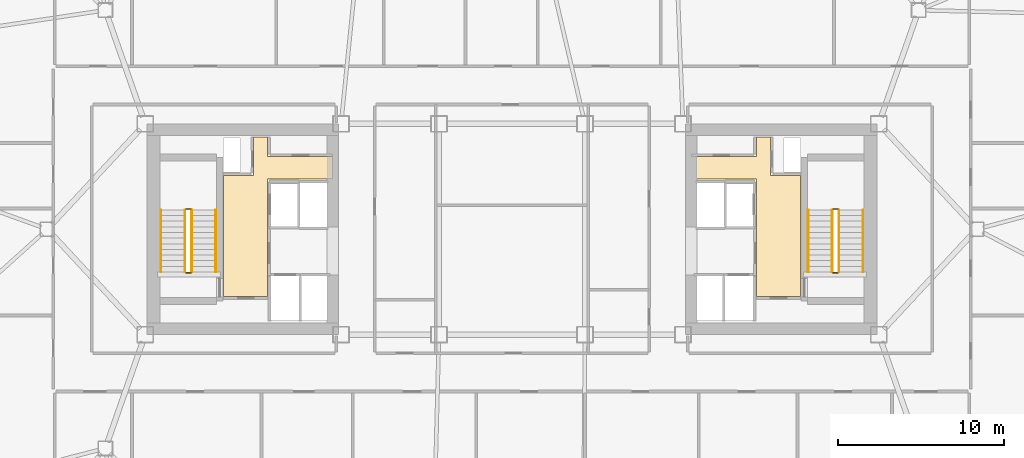
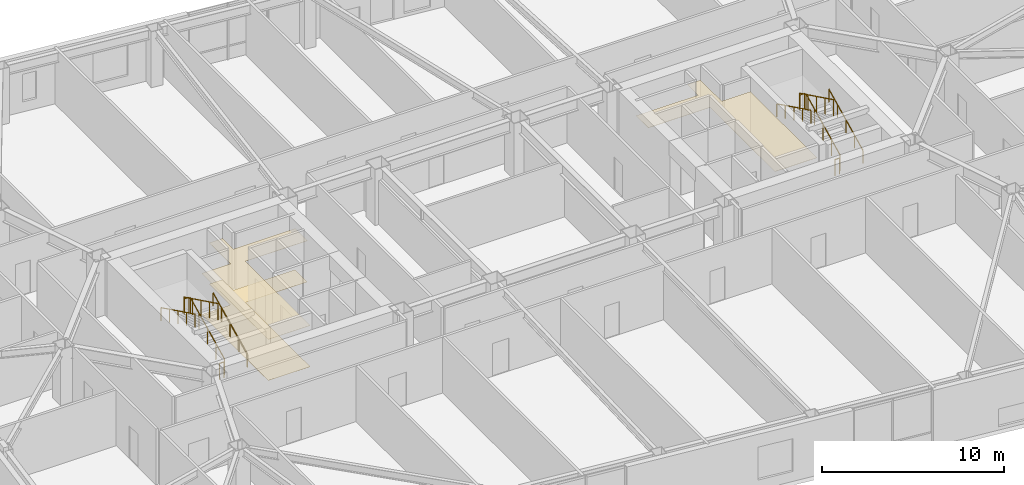
# One storey, part 20 of 21: 12 railings, 3 coverings.
"""IFC4 building model written with IfcOpenShell, lengths in metres."""

from ifc_helpers import new_model, si_unit, direction, frame, origin, origin_2d, place, context, subcontext, project, spatial, polyline, rectangle, outline, extrude, material, layer, layer_set, type_object, element, save


model = new_model("IFC4")

# Units and contexts
model_context = context("Model", 3, precision=1e-05, world=origin(), true_north=direction((0.0, 1.0)))
body_context = subcontext(model_context, "Body", "Model", "MODEL_VIEW")
ifc_project = project(units=[si_unit("LENGTHUNIT", "METRE"), si_unit("AREAUNIT", "SQUARE_METRE"), si_unit("VOLUMEUNIT", "CUBIC_METRE"), si_unit("PLANEANGLEUNIT", "RADIAN"), si_unit("MASSUNIT", "GRAM", prefix="KILO")], contexts=[model_context])

# Site, building, storey
site_placement = place(None, origin())
site = spatial("IfcSite", under=ifc_project, at=site_placement, CompositionType="ELEMENT")
building_placement = place(site_placement, origin())
building = spatial("IfcBuilding", under=site, at=building_placement, Name="Tavrogorsk Clinical Tower", CompositionType="ELEMENT")
storey_placement = place(building_placement, frame((0.0, 0.0, 125.39990234375)))
storey = spatial("IfcBuildingStorey", under=building, at=storey_placement, Name="L28", CompositionType="ELEMENT", Elevation=125.39990234375)

# Coverings
ifc_material_1 = material(Name="Antibacterial micro-perforated aluminium ceiling", Category="aluminium")
ifc_layer_1 = layer(ifc_material_1, 0.014892578125)
ifc_layer_set_1 = layer_set([ifc_layer_1], Name="Antibacterial micro-perforated aluminium ceiling")
covering_type_1 = type_object("IfcCoveringType", Name="ClinicalCeiling_15", PredefinedType="CEILING", material=ifc_layer_set_1)
covering_1_placement = place(storey_placement, frame((0.0, 0.0, 2.75)))
element("IfcCovering", 1, at=covering_1_placement, inside=storey, type_object=covering_type_1, Name="Core West Firefighting Lift Lobby Acoustic Ceiling", PredefinedType="CEILING", context=body_context, shape_type="SweptSolid", body=[
    extrude(outline(polyline([(-14.719970703125, 4.3798828125), (-10.800048828125, 4.3798828125), (-10.800048828125, 3.0400390625), (-14.719970703125, 3.0400390625), (-14.719970703125, -4.06005859375), (-17.3798828125, -4.06005859375), (-17.3798828125, 3.239990234375), (-15.56005859375, 3.239990234375), (-15.56005859375, 5.56005859375), (-14.719970703125, 5.56005859375), (-14.719970703125, 4.3798828125)])), origin(), (0.0, 0.0, 1.0), 0.01513671875),
])
covering_2_placement = place(storey_placement, frame((0.0, 0.0, 2.75)))
element("IfcCovering", 2, at=covering_2_placement, inside=storey, type_object=covering_type_1, Name="Core East Firefighting Lift Lobby Acoustic Ceiling", PredefinedType="CEILING", context=body_context, shape_type="SweptSolid", body=[
    extrude(outline(polyline([(14.719970703125, -4.06005859375), (14.719970703125, 3.0400390625), (10.800048828125, 3.0400390625), (10.800048828125, 4.3798828125), (14.719970703125, 4.3798828125), (14.719970703125, 5.56005859375), (15.56005859375, 5.56005859375), (15.56005859375, 3.239990234375), (17.3798828125, 3.239990234375), (17.3798828125, -4.06005859375), (14.719970703125, -4.06005859375)])), origin(), (0.0, 0.0, 1.0), 0.01513671875),
])
ifc_material_2 = material(Name="Homogeneous medical conductive PVC flooring")
ifc_layer_2 = layer(ifc_material_2, 0.008056640625)
ifc_layer_set_2 = layer_set([ifc_layer_2], Name="Homogeneous medical conductive PVC flooring")
covering_type_2 = type_object("IfcCoveringType", Name="ResilientVinylFloor_8", PredefinedType="FLOORING", material=ifc_layer_set_2)
covering_3_placement = place(storey_placement, origin())
element("IfcCovering", 3, at=covering_3_placement, inside=storey, type_object=covering_type_2, Name="Core West Firefighting Lift Lobby Conductive Vinyl Flooring", PredefinedType="FLOORING", context=body_context, shape_type="SweptSolid", body=[
    extrude(outline(polyline([(-14.719970703125, 4.3798828125), (-10.800048828125, 4.3798828125), (-10.800048828125, 3.0400390625), (-14.719970703125, 3.0400390625), (-14.719970703125, -4.06005859375), (-17.3798828125, -4.06005859375), (-17.3798828125, 3.239990234375), (-15.56005859375, 3.239990234375), (-15.56005859375, 5.56005859375), (-14.719970703125, 5.56005859375), (-14.719970703125, 4.3798828125)])), origin(), (0.0, 0.0, 1.0), 0.008056640625),
])

# Railings
ifc_material_3 = material(Name="Galvanised steel S355 safety stairwell guard", Category="steel")
ifc_layer_3 = layer(ifc_material_3, 0.06005859375)
ifc_layer_set_3 = layer_set([ifc_layer_3], Name="Galvanised steel S355 safety stairwell guard")
railing_type_1 = type_object("IfcRailingType", Name="StairGuard_1150", PredefinedType="GUARDRAIL", material=ifc_layer_set_3)
railing_1_placement = place(storey_placement, frame((-19.300048828125, -2.574951171875, 0.166748046875)))
element("IfcRailing", 4, at=railing_1_placement, inside=storey, type_object=railing_type_1, Name="L28 ST-W stair guard 1", PredefinedType="GUARDRAIL", context=body_context, shape_type="SweptSolid", body=[
    extrude(rectangle(XDim=0.048095703125, YDim=0.048095703125, at=origin_2d()), frame((0.0, 0.0, 1.076171875), z_axis=(0.0, 0.897927990467, 0.440142390523), x_axis=(-1.0, 0.0, 0.0)), (0.0, 0.0, 1.0), 4.1650390625),
    extrude(rectangle(XDim=0.0419921875, YDim=0.0419921875, at=origin_2d()), origin(), (0.0, 0.0, 1.0), 1.052001953125),
    extrude(rectangle(XDim=0.0419921875, YDim=0.0419921875, at=origin_2d()), frame((0.0, 0.93505859375, 0.458251953125)), (0.0, 0.0, 1.0), 1.052001953125),
    extrude(rectangle(XDim=0.0419921875, YDim=0.0419921875, at=origin_2d()), frame((0.0, 1.8701171875, 0.91650390625)), (0.0, 0.0, 1.0), 1.052001953125),
    extrude(rectangle(XDim=0.0419921875, YDim=0.0419921875, at=origin_2d()), frame((0.0, 2.804931640625, 1.375)), (0.0, 0.0, 1.0), 1.052001953125),
    extrude(rectangle(XDim=0.0419921875, YDim=0.0419921875, at=origin_2d()), frame((0.0, 3.739990234375, 1.833251953125)), (0.0, 0.0, 1.0), 1.052001953125),
])
railing_2_placement = place(storey_placement, frame((-19.35009765625, 1.215087890625, 2.0)))
element("IfcRailing", 5, at=railing_2_placement, inside=storey, type_object=railing_type_1, Name="L28 ST-W stair guard 2", PredefinedType="GUARDRAIL", context=body_context, shape_type="SweptSolid", body=[
    extrude(rectangle(XDim=0.048095703125, YDim=0.048095703125, at=origin_2d()), frame((0.0, 0.0, 1.076171875), z_axis=(-1.0, 0.0, 0.0), x_axis=(0.0, -1.0, 0.0)), (0.0, 0.0, 1.0), 0.2998046875),
    extrude(rectangle(XDim=0.0419921875, YDim=0.0419921875, at=origin_2d()), origin(), (0.0, 0.0, 1.0), 1.052001953125),
    extrude(rectangle(XDim=0.0419921875, YDim=0.0419921875, at=origin_2d()), frame((-0.2998046875, 0.0, 0.0)), (0.0, 0.0, 1.0), 1.052001953125),
])
railing_3_placement = place(storey_placement, frame((-19.699951171875, 1.1650390625, 2.166748046875)))
element("IfcRailing", 6, at=railing_3_placement, inside=storey, type_object=railing_type_1, Name="L28 ST-W stair guard 3", PredefinedType="GUARDRAIL", context=body_context, shape_type="SweptSolid", body=[
    extrude(rectangle(XDim=0.048095703125, YDim=0.048095703125, at=origin_2d()), frame((0.0, 0.0, 1.076171875), z_axis=(0.0, -0.897927990467, 0.440142390523), x_axis=(1.0, 0.0, 0.0)), (0.0, 0.0, 1.0), 4.1650390625),
    extrude(rectangle(XDim=0.0419921875, YDim=0.0419921875, at=origin_2d()), origin(), (0.0, 0.0, 1.0), 1.052001953125),
    extrude(rectangle(XDim=0.0419921875, YDim=0.0419921875, at=origin_2d()), frame((0.0, -0.93505859375, 0.458251953125)), (0.0, 0.0, 1.0), 1.052001953125),
    extrude(rectangle(XDim=0.0419921875, YDim=0.0419921875, at=origin_2d()), frame((0.0, -1.8701171875, 0.91650390625)), (0.0, 0.0, 1.0), 1.052001953125),
    extrude(rectangle(XDim=0.0419921875, YDim=0.0419921875, at=origin_2d()), frame((0.0, -2.804931640625, 1.375)), (0.0, 0.0, 1.0), 1.052001953125),
    extrude(rectangle(XDim=0.0419921875, YDim=0.0419921875, at=origin_2d()), frame((0.0, -3.739990234375, 1.833251953125)), (0.0, 0.0, 1.0), 1.052001953125),
])
railing_4_placement = place(storey_placement, frame((-19.35009765625, -2.625, 0.0)))
element("IfcRailing", 7, at=railing_4_placement, inside=storey, type_object=railing_type_1, Name="L28 ST-W stair guard 4", PredefinedType="GUARDRAIL", context=body_context, shape_type="SweptSolid", body=[
    extrude(rectangle(XDim=0.048095703125, YDim=0.048095703125, at=origin_2d()), frame((0.0, 0.0, 1.076171875), z_axis=(-1.0, 0.0, 0.0), x_axis=(0.0, -1.0, 0.0)), (0.0, 0.0, 1.0), 0.2998046875),
    extrude(rectangle(XDim=0.0419921875, YDim=0.0419921875, at=origin_2d()), origin(), (0.0, 0.0, 1.0), 1.052001953125),
    extrude(rectangle(XDim=0.0419921875, YDim=0.0419921875, at=origin_2d()), frame((-0.2998046875, 0.0, 0.0)), (0.0, 0.0, 1.0), 1.052001953125),
])
railing_5_placement = place(storey_placement, frame((19.699951171875, -2.574951171875, 0.166748046875)))
element("IfcRailing", 8, at=railing_5_placement, inside=storey, type_object=railing_type_1, Name="L28 ST-E stair guard 1", PredefinedType="GUARDRAIL", context=body_context, shape_type="SweptSolid", body=[
    extrude(rectangle(XDim=0.048095703125, YDim=0.048095703125, at=origin_2d()), frame((0.0, 0.0, 1.076171875), z_axis=(0.0, 0.897927990467, 0.440142390523), x_axis=(-1.0, 0.0, 0.0)), (0.0, 0.0, 1.0), 4.1650390625),
    extrude(rectangle(XDim=0.0419921875, YDim=0.0419921875, at=origin_2d()), origin(), (0.0, 0.0, 1.0), 1.052001953125),
    extrude(rectangle(XDim=0.0419921875, YDim=0.0419921875, at=origin_2d()), frame((0.0, 0.93505859375, 0.458251953125)), (0.0, 0.0, 1.0), 1.052001953125),
    extrude(rectangle(XDim=0.0419921875, YDim=0.0419921875, at=origin_2d()), frame((0.0, 1.8701171875, 0.91650390625)), (0.0, 0.0, 1.0), 1.052001953125),
    extrude(rectangle(XDim=0.0419921875, YDim=0.0419921875, at=origin_2d()), frame((0.0, 2.804931640625, 1.375)), (0.0, 0.0, 1.0), 1.052001953125),
    extrude(rectangle(XDim=0.0419921875, YDim=0.0419921875, at=origin_2d()), frame((0.0, 3.739990234375, 1.833251953125)), (0.0, 0.0, 1.0), 1.052001953125),
])
railing_6_placement = place(storey_placement, frame((19.64990234375, 1.215087890625, 2.0)))
element("IfcRailing", 9, at=railing_6_placement, inside=storey, type_object=railing_type_1, Name="L28 ST-E stair guard 2", PredefinedType="GUARDRAIL", context=body_context, shape_type="SweptSolid", body=[
    extrude(rectangle(XDim=0.048095703125, YDim=0.048095703125, at=origin_2d()), frame((0.0, 0.0, 1.076171875), z_axis=(-1.0, 0.0, 0.0), x_axis=(0.0, -1.0, 0.0)), (0.0, 0.0, 1.0), 0.2998046875),
    extrude(rectangle(XDim=0.0419921875, YDim=0.0419921875, at=origin_2d()), origin(), (0.0, 0.0, 1.0), 1.052001953125),
    extrude(rectangle(XDim=0.0419921875, YDim=0.0419921875, at=origin_2d()), frame((-0.2998046875, 0.0, 0.0)), (0.0, 0.0, 1.0), 1.052001953125),
])
railing_7_placement = place(storey_placement, frame((19.300048828125, 1.1650390625, 2.166748046875)))
element("IfcRailing", 10, at=railing_7_placement, inside=storey, type_object=railing_type_1, Name="L28 ST-E stair guard 3", PredefinedType="GUARDRAIL", context=body_context, shape_type="SweptSolid", body=[
    extrude(rectangle(XDim=0.048095703125, YDim=0.048095703125, at=origin_2d()), frame((0.0, 0.0, 1.076171875), z_axis=(0.0, -0.897927990467, 0.440142390523), x_axis=(1.0, 0.0, 0.0)), (0.0, 0.0, 1.0), 4.1650390625),
    extrude(rectangle(XDim=0.0419921875, YDim=0.0419921875, at=origin_2d()), origin(), (0.0, 0.0, 1.0), 1.052001953125),
    extrude(rectangle(XDim=0.0419921875, YDim=0.0419921875, at=origin_2d()), frame((0.0, -0.93505859375, 0.458251953125)), (0.0, 0.0, 1.0), 1.052001953125),
    extrude(rectangle(XDim=0.0419921875, YDim=0.0419921875, at=origin_2d()), frame((0.0, -1.8701171875, 0.91650390625)), (0.0, 0.0, 1.0), 1.052001953125),
    extrude(rectangle(XDim=0.0419921875, YDim=0.0419921875, at=origin_2d()), frame((0.0, -2.804931640625, 1.375)), (0.0, 0.0, 1.0), 1.052001953125),
    extrude(rectangle(XDim=0.0419921875, YDim=0.0419921875, at=origin_2d()), frame((0.0, -3.739990234375, 1.833251953125)), (0.0, 0.0, 1.0), 1.052001953125),
])
railing_8_placement = place(storey_placement, frame((19.64990234375, -2.625, 0.0)))
element("IfcRailing", 11, at=railing_8_placement, inside=storey, type_object=railing_type_1, Name="L28 ST-E stair guard 4", PredefinedType="GUARDRAIL", context=body_context, shape_type="SweptSolid", body=[
    extrude(rectangle(XDim=0.048095703125, YDim=0.048095703125, at=origin_2d()), frame((0.0, 0.0, 1.076171875), z_axis=(-1.0, 0.0, 0.0), x_axis=(0.0, -1.0, 0.0)), (0.0, 0.0, 1.0), 0.2998046875),
    extrude(rectangle(XDim=0.0419921875, YDim=0.0419921875, at=origin_2d()), origin(), (0.0, 0.0, 1.0), 1.052001953125),
    extrude(rectangle(XDim=0.0419921875, YDim=0.0419921875, at=origin_2d()), frame((-0.2998046875, 0.0, 0.0)), (0.0, 0.0, 1.0), 1.052001953125),
])
ifc_material_4 = material(Name="Stainless steel AISI 304 tubular handrail", Category="steel")
ifc_layer_4 = layer(ifc_material_4, 0.050048828125)
ifc_layer_set_4 = layer_set([ifc_layer_4], Name="Stainless steel AISI 304 tubular handrail")
railing_type_2 = type_object("IfcRailingType", Name="StairHandrail_920", PredefinedType="HANDRAIL", material=ifc_layer_set_4)
railing_9_placement = place(storey_placement, frame((-17.85009765625, -2.574951171875, 0.166748046875)))
element("IfcRailing", 12, at=railing_9_placement, inside=storey, type_object=railing_type_2, Name="L28 ST-W stair handrail 1", PredefinedType="HANDRAIL", context=body_context, shape_type="SweptSolid", body=[
    extrude(rectangle(XDim=0.048095703125, YDim=0.048095703125, at=origin_2d()), frame((0.0, 0.0, 0.8759765625), z_axis=(0.0, 0.897927990467, 0.440142390523), x_axis=(-1.0, 0.0, 0.0)), (0.0, 0.0, 1.0), 4.1650390625),
    extrude(rectangle(XDim=0.0419921875, YDim=0.0419921875, at=origin_2d()), origin(), (0.0, 0.0, 1.0), 0.851806640625),
    extrude(rectangle(XDim=0.0419921875, YDim=0.0419921875, at=origin_2d()), frame((0.0, 0.93505859375, 0.458251953125)), (0.0, 0.0, 1.0), 0.851806640625),
    extrude(rectangle(XDim=0.0419921875, YDim=0.0419921875, at=origin_2d()), frame((0.0, 1.8701171875, 0.91650390625)), (0.0, 0.0, 1.0), 0.851806640625),
    extrude(rectangle(XDim=0.0419921875, YDim=0.0419921875, at=origin_2d()), frame((0.0, 2.804931640625, 1.375)), (0.0, 0.0, 1.0), 0.851806640625),
    extrude(rectangle(XDim=0.0419921875, YDim=0.0419921875, at=origin_2d()), frame((0.0, 3.739990234375, 1.833251953125)), (0.0, 0.0, 1.0), 0.851806640625),
])
railing_10_placement = place(storey_placement, frame((-21.14990234375, 1.1650390625, 2.166748046875)))
element("IfcRailing", 13, at=railing_10_placement, inside=storey, type_object=railing_type_2, Name="L28 ST-W stair handrail 2", PredefinedType="HANDRAIL", context=body_context, shape_type="SweptSolid", body=[
    extrude(rectangle(XDim=0.048095703125, YDim=0.048095703125, at=origin_2d()), frame((0.0, 0.0, 0.8759765625), z_axis=(0.0, -0.897927990467, 0.440142390523), x_axis=(1.0, 0.0, 0.0)), (0.0, 0.0, 1.0), 4.1650390625),
    extrude(rectangle(XDim=0.0419921875, YDim=0.0419921875, at=origin_2d()), origin(), (0.0, 0.0, 1.0), 0.851806640625),
    extrude(rectangle(XDim=0.0419921875, YDim=0.0419921875, at=origin_2d()), frame((0.0, -0.93505859375, 0.458251953125)), (0.0, 0.0, 1.0), 0.851806640625),
    extrude(rectangle(XDim=0.0419921875, YDim=0.0419921875, at=origin_2d()), frame((0.0, -1.8701171875, 0.91650390625)), (0.0, 0.0, 1.0), 0.851806640625),
    extrude(rectangle(XDim=0.0419921875, YDim=0.0419921875, at=origin_2d()), frame((0.0, -2.804931640625, 1.375)), (0.0, 0.0, 1.0), 0.851806640625),
    extrude(rectangle(XDim=0.0419921875, YDim=0.0419921875, at=origin_2d()), frame((0.0, -3.739990234375, 1.833251953125)), (0.0, 0.0, 1.0), 0.851806640625),
])
railing_11_placement = place(storey_placement, frame((21.14990234375, -2.574951171875, 0.166748046875)))
element("IfcRailing", 14, at=railing_11_placement, inside=storey, type_object=railing_type_2, Name="L28 ST-E stair handrail 1", PredefinedType="HANDRAIL", context=body_context, shape_type="SweptSolid", body=[
    extrude(rectangle(XDim=0.048095703125, YDim=0.048095703125, at=origin_2d()), frame((0.0, 0.0, 0.8759765625), z_axis=(0.0, 0.897927990467, 0.440142390523), x_axis=(-1.0, 0.0, 0.0)), (0.0, 0.0, 1.0), 4.1650390625),
    extrude(rectangle(XDim=0.0419921875, YDim=0.0419921875, at=origin_2d()), origin(), (0.0, 0.0, 1.0), 0.851806640625),
    extrude(rectangle(XDim=0.0419921875, YDim=0.0419921875, at=origin_2d()), frame((0.0, 0.93505859375, 0.458251953125)), (0.0, 0.0, 1.0), 0.851806640625),
    extrude(rectangle(XDim=0.0419921875, YDim=0.0419921875, at=origin_2d()), frame((0.0, 1.8701171875, 0.91650390625)), (0.0, 0.0, 1.0), 0.851806640625),
    extrude(rectangle(XDim=0.0419921875, YDim=0.0419921875, at=origin_2d()), frame((0.0, 2.804931640625, 1.375)), (0.0, 0.0, 1.0), 0.851806640625),
    extrude(rectangle(XDim=0.0419921875, YDim=0.0419921875, at=origin_2d()), frame((0.0, 3.739990234375, 1.833251953125)), (0.0, 0.0, 1.0), 0.851806640625),
])
railing_12_placement = place(storey_placement, frame((17.85009765625, 1.1650390625, 2.166748046875)))
element("IfcRailing", 15, at=railing_12_placement, inside=storey, type_object=railing_type_2, Name="L28 ST-E stair handrail 2", PredefinedType="HANDRAIL", context=body_context, shape_type="SweptSolid", body=[
    extrude(rectangle(XDim=0.048095703125, YDim=0.048095703125, at=origin_2d()), frame((0.0, 0.0, 0.8759765625), z_axis=(0.0, -0.897927990467, 0.440142390523), x_axis=(1.0, 0.0, 0.0)), (0.0, 0.0, 1.0), 4.1650390625),
    extrude(rectangle(XDim=0.0419921875, YDim=0.0419921875, at=origin_2d()), origin(), (0.0, 0.0, 1.0), 0.851806640625),
    extrude(rectangle(XDim=0.0419921875, YDim=0.0419921875, at=origin_2d()), frame((0.0, -0.93505859375, 0.458251953125)), (0.0, 0.0, 1.0), 0.851806640625),
    extrude(rectangle(XDim=0.0419921875, YDim=0.0419921875, at=origin_2d()), frame((0.0, -1.8701171875, 0.91650390625)), (0.0, 0.0, 1.0), 0.851806640625),
    extrude(rectangle(XDim=0.0419921875, YDim=0.0419921875, at=origin_2d()), frame((0.0, -2.804931640625, 1.375)), (0.0, 0.0, 1.0), 0.851806640625),
    extrude(rectangle(XDim=0.0419921875, YDim=0.0419921875, at=origin_2d()), frame((0.0, -3.739990234375, 1.833251953125)), (0.0, 0.0, 1.0), 0.851806640625),
])

save(model, "model.ifc")
